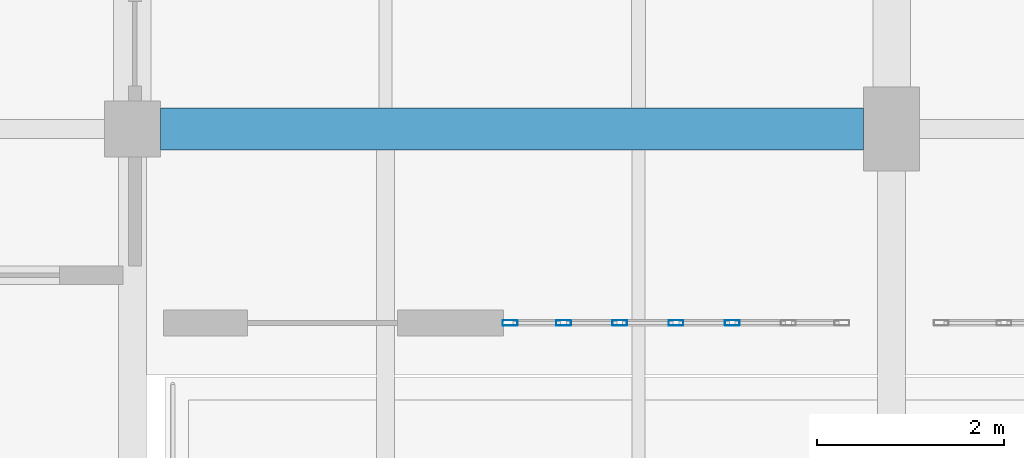
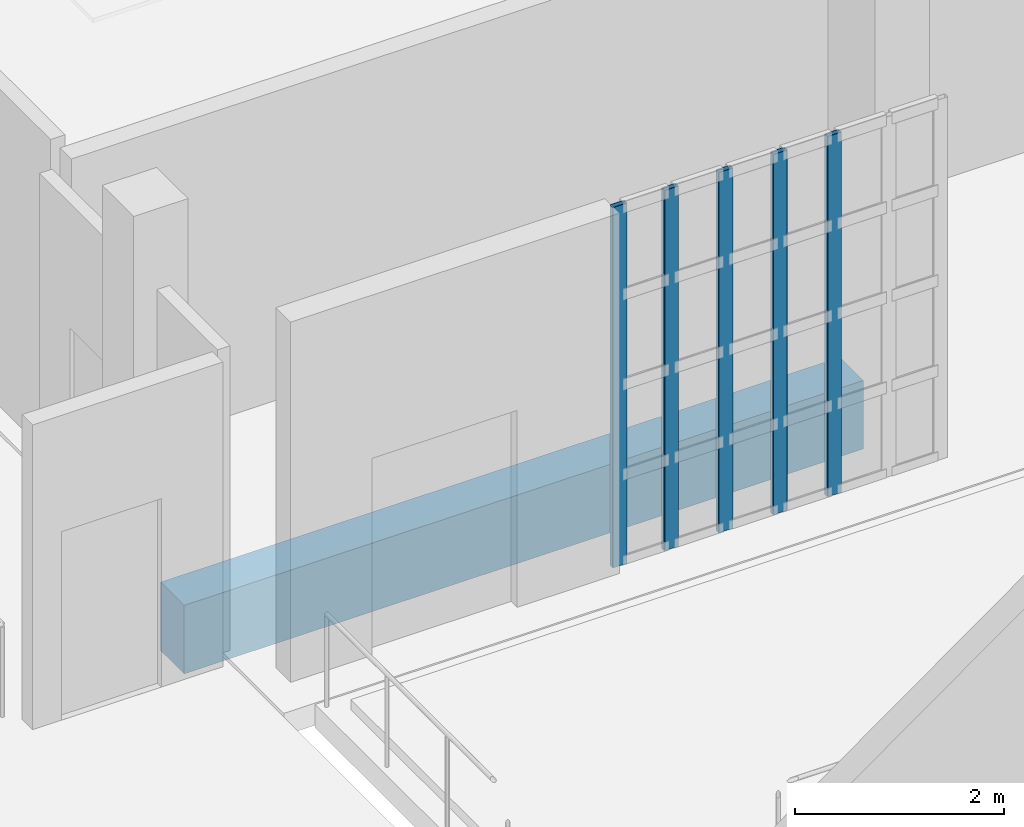
# One storey, part 20 of 73: 5 members, 1 beam, 1 element without a shape of its own.
"""IFC4 building model written with IfcOpenShell, lengths in metres."""

from ifc_helpers import new_model, si_unit, direction, frame, origin, origin_2d, place, context, subcontext, project, spatial, rectangle, hollow_rectangle, extrude, material, material_profile, profile_set, type_object, element, aggregate, save


model = new_model("IFC4")

# Units and contexts
model_context = context("Model", 3, precision=1e-05, world=origin(), true_north=direction((0.0, 1.0)))
body_context = subcontext(model_context, "Body", "Model", "MODEL_VIEW")
ifc_project = project(units=[si_unit("LENGTHUNIT", "METRE"), si_unit("AREAUNIT", "SQUARE_METRE"), si_unit("VOLUMEUNIT", "CUBIC_METRE"), si_unit("PLANEANGLEUNIT", "RADIAN"), si_unit("MASSUNIT", "GRAM", prefix="KILO")], contexts=[model_context])

# Site, building, storey
site_placement = place(None, origin())
site = spatial("IfcSite", under=ifc_project, at=site_placement, CompositionType="ELEMENT")
building_placement = place(site_placement, origin())
building = spatial("IfcBuilding", under=site, at=building_placement, Name="Kaelora Sail Theatre", CompositionType="ELEMENT")
storey_placement = place(building_placement, frame((0.0, 0.0, 10.199951171875)))
storey = spatial("IfcBuildingStorey", under=building, at=storey_placement, Name="L02", CompositionType="ELEMENT", Elevation=10.199951171875)

# Curtain wall, members
ifc_material_1 = material(Name="Anodised aluminium and solar-control low-E IGU", Category="aluminium")
curtain_wall_type = type_object("IfcCurtainWallType", Name="ARC-CW-CW-BRG", PredefinedType="NOTDEFINED", material=ifc_material_1)
curtain_wall_placement = place(storey_placement, origin())
curtain_wall = element("IfcCurtainWall", 1, at=curtain_wall_placement, inside=storey, type_object=curtain_wall_type, Name="Glazed Foyer/Conservatory Curtain Wall FC2-S-L02-01", PredefinedType="NOTDEFINED")
ifc_material_2 = material(Name="Anodised aluminium 6063-T6", Category="aluminium")
ifc_material_profile_1 = material_profile(ifc_material_2, hollow_rectangle(XDim=0.06005859375, YDim=0.159912109375, WallThickness=0.00390625, InnerFilletRadius=0.00390625, OuterFilletRadius=0.008056640625, at=origin_2d()), Name="ALU-MULL 60x160x4")
ifc_profile_set_1 = profile_set([ifc_material_profile_1], Name="Anodised aluminium 6063-T6")
member_type = type_object("IfcMemberType", Name="ARC-MEM-ML-160", PredefinedType="MULLION", material=ifc_profile_set_1)
member_1_placement = place(storey_placement, frame((94.6298828125, 66.389892578125, 0.0), z_axis=(0.0, 0.0, 1.0), x_axis=(0.0, 1.0, 0.0)))
member_1 = element("IfcMember", 2, at=member_1_placement, type_object=member_type, Name="CW-BRG mullion 1", PredefinedType="MULLION", context=body_context, shape_type="SweptSolid", body=[
    extrude(hollow_rectangle(XDim=0.06005859375, YDim=0.159912109375, WallThickness=0.00390625, InnerFilletRadius=0.00390625, OuterFilletRadius=0.008056640625, at=origin_2d()), origin(), (0.0, 0.0, 1.0), 4.205078125),
])
member_2_placement = place(storey_placement, frame((95.199951171875, 66.389892578125, 0.0), z_axis=(0.0, 0.0, 1.0), x_axis=(0.0, 1.0, 0.0)))
member_2 = element("IfcMember", 3, at=member_2_placement, type_object=member_type, Name="CW-BRG mullion 2", PredefinedType="MULLION", context=body_context, shape_type="SweptSolid", body=[
    extrude(hollow_rectangle(XDim=0.06005859375, YDim=0.159912109375, WallThickness=0.00390625, InnerFilletRadius=0.00390625, OuterFilletRadius=0.008056640625, at=origin_2d()), origin(), (0.0, 0.0, 1.0), 4.205078125),
])
member_3_placement = place(storey_placement, frame((95.800048828125, 66.389892578125, 0.0), z_axis=(0.0, 0.0, 1.0), x_axis=(0.0, 1.0, 0.0)))
member_3 = element("IfcMember", 4, at=member_3_placement, type_object=member_type, Name="CW-BRG mullion 3", PredefinedType="MULLION", context=body_context, shape_type="SweptSolid", body=[
    extrude(hollow_rectangle(XDim=0.06005859375, YDim=0.159912109375, WallThickness=0.00390625, InnerFilletRadius=0.00390625, OuterFilletRadius=0.008056640625, at=origin_2d()), origin(), (0.0, 0.0, 1.0), 4.205078125),
])
member_4_placement = place(storey_placement, frame((96.39990234375, 66.389892578125, 0.0), z_axis=(0.0, 0.0, 1.0), x_axis=(0.0, 1.0, 0.0)))
member_4 = element("IfcMember", 5, at=member_4_placement, type_object=member_type, Name="CW-BRG mullion 4", PredefinedType="MULLION", context=body_context, shape_type="SweptSolid", body=[
    extrude(hollow_rectangle(XDim=0.06005859375, YDim=0.159912109375, WallThickness=0.00390625, InnerFilletRadius=0.00390625, OuterFilletRadius=0.008056640625, at=origin_2d()), origin(), (0.0, 0.0, 1.0), 4.205078125),
])
member_5_placement = place(storey_placement, frame((97.0, 66.389892578125, 0.0), z_axis=(0.0, 0.0, 1.0), x_axis=(0.0, 1.0, 0.0)))
member_5 = element("IfcMember", 6, at=member_5_placement, type_object=member_type, Name="CW-BRG mullion 5", PredefinedType="MULLION", context=body_context, shape_type="SweptSolid", body=[
    extrude(hollow_rectangle(XDim=0.06005859375, YDim=0.159912109375, WallThickness=0.00390625, InnerFilletRadius=0.00390625, OuterFilletRadius=0.008056640625, at=origin_2d()), origin(), (0.0, 0.0, 1.0), 4.205078125),
])
aggregate(curtain_wall, [member_1, member_2, member_3, member_4, member_5])

# Beam
ifc_material_3 = material(Name="Concrete C45/55", Category="concrete")
ifc_material_profile_2 = material_profile(ifc_material_3, rectangle(XDim=0.449951171875, YDim=0.800048828125, at=origin_2d()), Name="RC-BM 450x800")
ifc_profile_set_2 = profile_set([ifc_material_profile_2], Name="Concrete C45/55")
beam_type = type_object("IfcBeamType", Name="STR-BM-BM-RC4580", PredefinedType="BEAM", material=ifc_profile_set_2)
beam_placement = place(storey_placement, frame((90.89990234375, 68.4599609375, -0.695068359375), z_axis=(1.0, 0.0, 0.0), x_axis=(0.0, 1.0, 0.0)))
element("IfcBeam", 7, at=beam_placement, inside=storey, type_object=beam_type, Name="Primary beam J 12-13 (L02)", PredefinedType="BEAM", context=body_context, shape_type="SweptSolid", body=[
    extrude(rectangle(XDim=0.449951171875, YDim=0.800048828125, at=origin_2d()), origin(), (0.0, 0.0, 1.0), 7.5),
])

save(model, "model.ifc")
